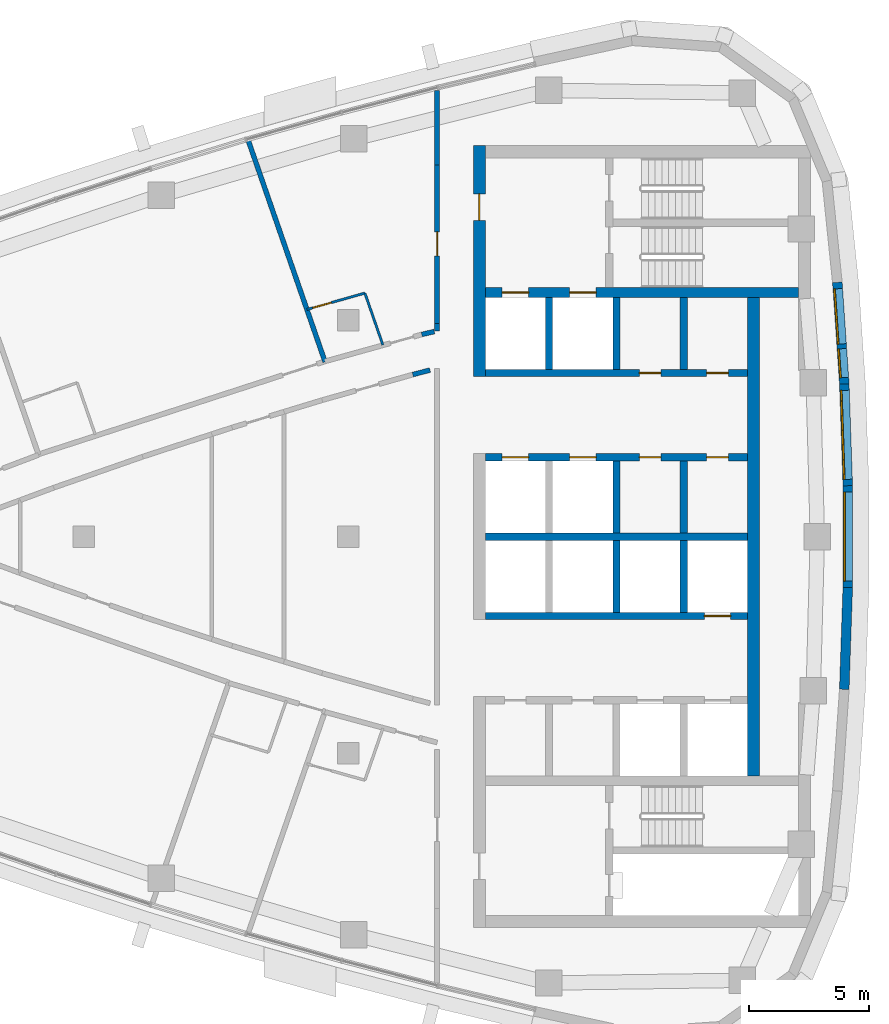
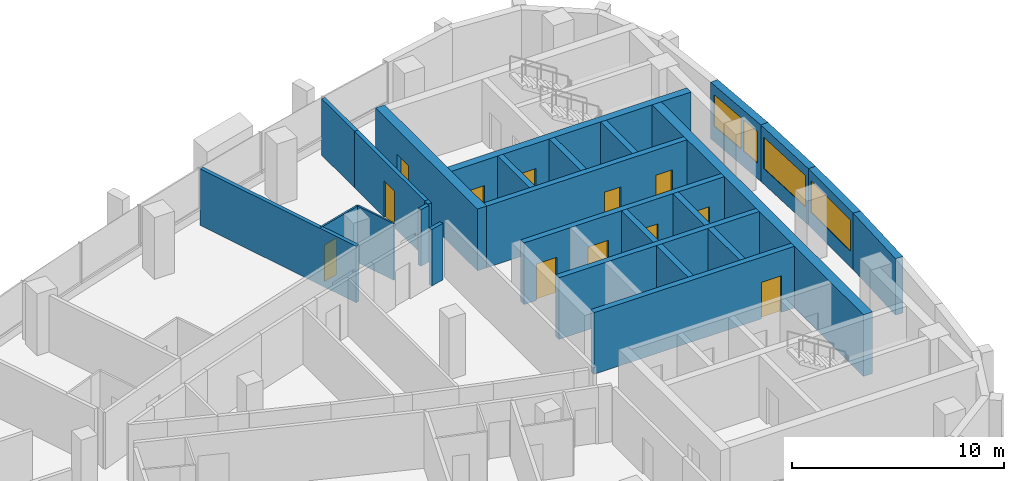
# One storey, part 9 of 14: 26 walls, 12 doors, 4 windows, 16 openings.
"""IFC4 building model written with IfcOpenShell, lengths in metres."""

from ifc_helpers import new_model, si_unit, direction, frame, frame_2d, origin, place, context, subcontext, project, spatial, polyline, rectangle, outline, extrude, material, layer, layer_set, type_object, element, fill, save


model = new_model("IFC4")

# Units and contexts
model_context = context("Model", 3, precision=1e-05, world=origin(), true_north=direction((0.0, 1.0)))
body_context = subcontext(model_context, "Body", "Model", "MODEL_VIEW")
ifc_project = project(units=[si_unit("LENGTHUNIT", "METRE"), si_unit("AREAUNIT", "SQUARE_METRE"), si_unit("VOLUMEUNIT", "CUBIC_METRE"), si_unit("PLANEANGLEUNIT", "RADIAN"), si_unit("MASSUNIT", "GRAM", prefix="KILO")], contexts=[model_context])

# Site, building, storey
site_placement = place(None, origin())
site = spatial("IfcSite", under=ifc_project, at=site_placement, CompositionType="ELEMENT")
building_placement = place(site_placement, origin())
building = spatial("IfcBuilding", under=site, at=building_placement, Name="Ostrand Prow Hotel Tower", CompositionType="ELEMENT")
storey_placement = place(building_placement, frame((0.0, 0.0, 267.89990234375)))
storey = spatial("IfcBuildingStorey", under=building, at=storey_placement, Name="L67", CompositionType="ELEMENT", Elevation=267.89990234375)

# Wall
ifc_material_1 = material(Name="Concrete C50/60", Category="concrete")
ifc_layer_1 = layer(ifc_material_1, 0.300048828125)
ifc_layer_set_1 = layer_set([ifc_layer_1], Name="Concrete C50/60")
wall_type_1 = type_object("IfcWallType", Name="Core wall 300 C50/60", PredefinedType="SHEAR", material=ifc_layer_set_1)
wall_1_placement = place(storey_placement, frame((50.699951171875, 0.0, 0.0), z_axis=(0.0, 0.0, 1.0), x_axis=(1.0, 0.0, 0.0)))
element("IfcWall", 1, at=wall_1_placement, inside=storey, type_object=wall_type_1, Name="Core wall PW-C", PredefinedType="SHEAR", context=body_context, shape_type="SweptSolid", body=[
    extrude(rectangle(XDim=10.900146484375, YDim=0.300048828125, at=frame_2d((5.4501953125, 0.0))), origin(), (0.0, 0.0, 1.0), 3.550048828125),
])

# Wall, openings, doors
wall_2_placement = place(storey_placement, frame((50.699951171875, 3.300048828125, 0.0), z_axis=(0.0, 0.0, 1.0), x_axis=(1.0, 0.0, 0.0)))
wall_2 = element("IfcWall", 2, at=wall_2_placement, inside=storey, type_object=wall_type_1, Name="Core wall PW-L1-N", PredefinedType="SHEAR", context=body_context, shape_type="SweptSolid", body=[
    extrude(rectangle(XDim=10.900146484375, YDim=0.300048828125, at=frame_2d((5.4501953125, 0.0))), origin(), (0.0, 0.0, 1.0), 3.550048828125),
])
opening_1_placement = place(wall_2_placement, frame((0.699951171875, 0.0, 0.0)))
opening_1 = element("IfcOpeningElement", 3, at=opening_1_placement, cuts=wall_2, Name="Opening LD", PredefinedType="OPENING", context=body_context, shape_type="SweptSolid", body=[
    extrude(rectangle(XDim=1.10009765625, YDim=2.10009765625, at=frame_2d((0.550048828125, 1.050048828125))), frame((0.0, 0.159912109375, 0.0), z_axis=(0.0, -1.0, 0.0), x_axis=(1.0, 0.0, 0.0)), (0.0, 0.0, 1.0), 0.320068359375),
])
opening_2_placement = place(wall_2_placement, frame((3.5, 0.0, 0.0)))
opening_2 = element("IfcOpeningElement", 4, at=opening_2_placement, cuts=wall_2, Name="Opening LD", PredefinedType="OPENING", context=body_context, shape_type="SweptSolid", body=[
    extrude(rectangle(XDim=1.10009765625, YDim=2.10009765625, at=frame_2d((0.550048828125, 1.050048828125))), frame((0.0, 0.159912109375, 0.0), z_axis=(0.0, -1.0, 0.0), x_axis=(1.0, 0.0, 0.0)), (0.0, 0.0, 1.0), 0.320068359375),
])
opening_3_placement = place(wall_2_placement, frame((6.39990234375, 0.0, 0.0)))
opening_3 = element("IfcOpeningElement", 5, at=opening_3_placement, cuts=wall_2, Name="Opening FD2", PredefinedType="OPENING", context=body_context, shape_type="SweptSolid", body=[
    extrude(rectangle(XDim=0.89990234375, YDim=2.10009765625, at=frame_2d((0.449951171875, 1.050048828125))), frame((0.0, 0.159912109375, 0.0), z_axis=(0.0, -1.0, 0.0), x_axis=(1.0, 0.0, 0.0)), (0.0, 0.0, 1.0), 0.320068359375),
])
opening_4_placement = place(wall_2_placement, frame((9.199951171875, 0.0, 0.0)))
opening_4 = element("IfcOpeningElement", 6, at=opening_4_placement, cuts=wall_2, Name="Opening FD2", PredefinedType="OPENING", context=body_context, shape_type="SweptSolid", body=[
    extrude(rectangle(XDim=0.89990234375, YDim=2.10009765625, at=frame_2d((0.449951171875, 1.050048828125))), frame((0.0, 0.159912109375, 0.0), z_axis=(0.0, -1.0, 0.0), x_axis=(1.0, 0.0, 0.0)), (0.0, 0.0, 1.0), 0.320068359375),
])
ifc_material_2 = material(Name="Steel fire door", Category="steel")
door_type_1 = type_object("IfcDoorType", Name="Fire door 900 EI120", OperationType="SINGLE_SWING_LEFT", PredefinedType="DOOR", material=ifc_material_2)
door_1_placement = place(opening_3_placement, origin())
door_1 = element("IfcDoor", 7, at=door_1_placement, inside=storey, type_object=door_type_1, Name="DOOR", OperationType="SINGLE_SWING_LEFT", OverallHeight=2.10009765625, OverallWidth=0.89990234375, PredefinedType="DOOR", context=body_context, shape_type="SweptSolid", body=[
    extrude(rectangle(XDim=0.89990234375, YDim=2.10009765625, at=frame_2d((0.449951171875, 1.050048828125))), frame((0.0, 0.02490234375, 0.0), z_axis=(0.0, -1.0, 0.0), x_axis=(1.0, 0.0, 0.0)), (0.0, 0.0, 1.0), 0.050048828125),
])
fill(opening_3, door_1)
door_2_placement = place(opening_4_placement, origin())
door_2 = element("IfcDoor", 8, at=door_2_placement, inside=storey, type_object=door_type_1, Name="DOOR", OperationType="SINGLE_SWING_LEFT", OverallHeight=2.10009765625, OverallWidth=0.89990234375, PredefinedType="DOOR", context=body_context, shape_type="SweptSolid", body=[
    extrude(rectangle(XDim=0.89990234375, YDim=2.10009765625, at=frame_2d((0.449951171875, 1.050048828125))), frame((0.0, 0.02490234375, 0.0), z_axis=(0.0, -1.0, 0.0), x_axis=(1.0, 0.0, 0.0)), (0.0, 0.0, 1.0), 0.050048828125),
])
fill(opening_4, door_2)
ifc_material_3 = material(Name="Stainless steel door", Category="steel")
door_type_2 = type_object("IfcDoorType", Name="Lift landing door 1100", OperationType="DOUBLE_DOOR_SLIDING", PredefinedType="DOOR", material=ifc_material_3)
door_3_placement = place(opening_1_placement, origin())
door_3 = element("IfcDoor", 9, at=door_3_placement, inside=storey, type_object=door_type_2, Name="LIFT LANDING DOOR", OperationType="DOUBLE_DOOR_SLIDING", OverallHeight=2.10009765625, OverallWidth=1.10009765625, PredefinedType="DOOR", context=body_context, shape_type="SweptSolid", body=[
    extrude(rectangle(XDim=1.10009765625, YDim=2.10009765625, at=frame_2d((0.550048828125, 1.050048828125))), frame((0.0, 0.02490234375, 0.0), z_axis=(0.0, -1.0, 0.0), x_axis=(1.0, 0.0, 0.0)), (0.0, 0.0, 1.0), 0.050048828125),
])
fill(opening_1, door_3)
door_4_placement = place(opening_2_placement, origin())
door_4 = element("IfcDoor", 10, at=door_4_placement, inside=storey, type_object=door_type_2, Name="LIFT LANDING DOOR", OperationType="DOUBLE_DOOR_SLIDING", OverallHeight=2.10009765625, OverallWidth=1.10009765625, PredefinedType="DOOR", context=body_context, shape_type="SweptSolid", body=[
    extrude(rectangle(XDim=1.10009765625, YDim=2.10009765625, at=frame_2d((0.550048828125, 1.050048828125))), frame((0.0, 0.02490234375, 0.0), z_axis=(0.0, -1.0, 0.0), x_axis=(1.0, 0.0, 0.0)), (0.0, 0.0, 1.0), 0.050048828125),
])
fill(opening_2, door_4)

wall_3_placement = place(storey_placement, frame((50.699951171875, 6.800048828125, 0.0), z_axis=(0.0, 0.0, 1.0), x_axis=(1.0, 0.0, 0.0)))
wall_3 = element("IfcWall", 11, at=wall_3_placement, inside=storey, type_object=wall_type_1, Name="Core wall PW-L2-N", PredefinedType="SHEAR", context=body_context, shape_type="SweptSolid", body=[
    extrude(rectangle(XDim=10.900146484375, YDim=0.300048828125, at=frame_2d((5.4501953125, 0.0))), origin(), (0.0, 0.0, 1.0), 3.550048828125),
])
opening_5_placement = place(wall_3_placement, frame((6.39990234375, 0.0, 0.0)))
opening_5 = element("IfcOpeningElement", 12, at=opening_5_placement, cuts=wall_3, Name="Opening FD2", PredefinedType="OPENING", context=body_context, shape_type="SweptSolid", body=[
    extrude(rectangle(XDim=0.89990234375, YDim=2.10009765625, at=frame_2d((0.449951171875, 1.050048828125))), frame((0.0, 0.159912109375, 0.0), z_axis=(0.0, -1.0, 0.0), x_axis=(1.0, 0.0, 0.0)), (0.0, 0.0, 1.0), 0.320068359375),
])
opening_6_placement = place(wall_3_placement, frame((9.199951171875, 0.0, 0.0)))
opening_6 = element("IfcOpeningElement", 13, at=opening_6_placement, cuts=wall_3, Name="Opening FD2", PredefinedType="OPENING", context=body_context, shape_type="SweptSolid", body=[
    extrude(rectangle(XDim=0.89990234375, YDim=2.10009765625, at=frame_2d((0.449951171875, 1.050048828125))), frame((0.0, 0.159912109375, 0.0), z_axis=(0.0, -1.0, 0.0), x_axis=(1.0, 0.0, 0.0)), (0.0, 0.0, 1.0), 0.320068359375),
])
door_5_placement = place(opening_5_placement, origin())
door_5 = element("IfcDoor", 14, at=door_5_placement, inside=storey, type_object=door_type_1, Name="DOOR", OperationType="SINGLE_SWING_LEFT", OverallHeight=2.10009765625, OverallWidth=0.89990234375, PredefinedType="DOOR", context=body_context, shape_type="SweptSolid", body=[
    extrude(rectangle(XDim=0.89990234375, YDim=2.10009765625, at=frame_2d((0.449951171875, 1.050048828125))), frame((0.0, 0.02490234375, 0.0), z_axis=(0.0, -1.0, 0.0), x_axis=(1.0, 0.0, 0.0)), (0.0, 0.0, 1.0), 0.050048828125),
])
fill(opening_5, door_5)
door_6_placement = place(opening_6_placement, origin())
door_6 = element("IfcDoor", 15, at=door_6_placement, inside=storey, type_object=door_type_1, Name="DOOR", OperationType="SINGLE_SWING_LEFT", OverallHeight=2.10009765625, OverallWidth=0.89990234375, PredefinedType="DOOR", context=body_context, shape_type="SweptSolid", body=[
    extrude(rectangle(XDim=0.89990234375, YDim=2.10009765625, at=frame_2d((0.449951171875, 1.050048828125))), frame((0.0, 0.02490234375, 0.0), z_axis=(0.0, -1.0, 0.0), x_axis=(1.0, 0.0, 0.0)), (0.0, 0.0, 1.0), 0.050048828125),
])
fill(opening_6, door_6)

# Walls
for number, where, z_axis, x_axis, name in (
    (16, (53.35009765625, 6.949951171875, 0.0), (0.0, 0.0, 1.0), (0.0, 1.0, 0.0), "Core wall PW-R1-NA"),
    (17, (56.14990234375, 0.14990234375, 0.0), (0.0, 0.0, 1.0), (0.0, 1.0, 0.0), "Core wall PW-R2-NB"),
    (18, (56.14990234375, 6.949951171875, 0.0), (0.0, 0.0, 1.0), (0.0, 1.0, 0.0), "Core wall PW-R2-NA"),
    (19, (58.949951171875, 0.14990234375, 0.0), (0.0, 0.0, 1.0), (0.0, 1.0, 0.0), "Core wall PW-R3-NB"),
    (20, (58.949951171875, 6.949951171875, 0.0), (0.0, 0.0, 1.0), (0.0, 1.0, 0.0), "Core wall PW-R3-NA"),
):
    element("IfcWall", number, at=place(storey_placement, frame(where, z_axis=z_axis, x_axis=x_axis)), inside=storey, type_object=wall_type_1, Name=name, PredefinedType="SHEAR", context=body_context, shape_type="SweptSolid", body=[
        extrude(rectangle(XDim=3.0, YDim=0.300048828125, at=frame_2d((1.5, 0.0))), origin(), (0.0, 0.0, 1.0), 3.550048828125),
    ])

# Wall, opening, door
wall_4_placement = place(storey_placement, frame((50.699951171875, -3.300048828125, 0.0), z_axis=(0.0, 0.0, 1.0), x_axis=(1.0, 0.0, 0.0)))
wall_4 = element("IfcWall", 21, at=wall_4_placement, inside=storey, type_object=wall_type_1, Name="Core wall PW-L1-S", PredefinedType="SHEAR", context=body_context, shape_type="SweptSolid", body=[
    extrude(rectangle(XDim=10.900146484375, YDim=0.300048828125, at=frame_2d((5.4501953125, 0.0))), origin(), (0.0, 0.0, 1.0), 3.550048828125),
])
opening_7_placement = place(wall_4_placement, frame((9.10009765625, 0.0, 0.0)))
opening_7 = element("IfcOpeningElement", 22, at=opening_7_placement, cuts=wall_4, Name="Opening LD", PredefinedType="OPENING", context=body_context, shape_type="SweptSolid", body=[
    extrude(rectangle(XDim=1.10009765625, YDim=2.10009765625, at=frame_2d((0.550048828125, 1.050048828125))), frame((0.0, 0.159912109375, 0.0), z_axis=(0.0, -1.0, 0.0), x_axis=(1.0, 0.0, 0.0)), (0.0, 0.0, 1.0), 0.320068359375),
])
door_7_placement = place(opening_7_placement, origin())
door_7 = element("IfcDoor", 23, at=door_7_placement, inside=storey, type_object=door_type_2, Name="LIFT LANDING DOOR", OperationType="DOUBLE_DOOR_SLIDING", OverallHeight=2.10009765625, OverallWidth=1.10009765625, PredefinedType="DOOR", context=body_context, shape_type="SweptSolid", body=[
    extrude(rectangle(XDim=1.10009765625, YDim=2.10009765625, at=frame_2d((0.550048828125, 1.050048828125))), frame((0.0, 0.02490234375, 0.0), z_axis=(0.0, -1.0, 0.0), x_axis=(1.0, 0.0, 0.0)), (0.0, 0.0, 1.0), 0.050048828125),
])
fill(opening_7, door_7)

# Walls
for number, where, z_axis, x_axis, name in (
    (24, (56.14990234375, -3.14990234375, 0.0), (0.0, 0.0, 1.0), (0.0, 1.0, 0.0), "Core wall PW-R2-SB"),
    (25, (58.949951171875, -3.14990234375, 0.0), (0.0, 0.0, 1.0), (0.0, 1.0, 0.0), "Core wall PW-R3-SB"),
):
    element("IfcWall", number, at=place(storey_placement, frame(where, z_axis=z_axis, x_axis=x_axis)), inside=storey, type_object=wall_type_1, Name=name, PredefinedType="SHEAR", context=body_context, shape_type="SweptSolid", body=[
        extrude(rectangle(XDim=3.0, YDim=0.300048828125, at=frame_2d((1.5, 0.0))), origin(), (0.0, 0.0, 1.0), 3.550048828125),
    ])

# Wall, openings, doors
ifc_material_4 = material(Name="Concrete C50/60", Category="concrete")
ifc_layer_2 = layer(ifc_material_4, 0.39990234375)
ifc_layer_set_2 = layer_set([ifc_layer_2], Name="Concrete C50/60")
wall_type_2 = type_object("IfcWallType", Name="Core wall 400 C50/60", PredefinedType="SHEAR", material=ifc_layer_set_2)
wall_5_placement = place(storey_placement, frame((50.699951171875, 10.14990234375, 0.0), z_axis=(0.0, 0.0, 1.0), x_axis=(1.0, 0.0, 0.0)))
wall_5 = element("IfcWall", 26, at=wall_5_placement, inside=storey, type_object=wall_type_2, Name="Core wall PW-BN", PredefinedType="SHEAR", context=body_context, shape_type="SweptSolid", body=[
    extrude(rectangle(XDim=13.02001953125, YDim=0.39990234375, at=frame_2d((6.510009765625, 0.0))), origin(), (0.0, 0.0, 1.0), 3.550048828125),
])
opening_8_placement = place(wall_5_placement, frame((0.699951171875, 0.0, 0.0)))
opening_8 = element("IfcOpeningElement", 27, at=opening_8_placement, cuts=wall_5, Name="Opening LD", PredefinedType="OPENING", context=body_context, shape_type="SweptSolid", body=[
    extrude(rectangle(XDim=1.10009765625, YDim=2.10009765625, at=frame_2d((0.550048828125, 1.050048828125))), frame((0.0, 0.2099609375, 0.0), z_axis=(0.0, -1.0, 0.0), x_axis=(1.0, 0.0, 0.0)), (0.0, 0.0, 1.0), 0.419921875),
])
opening_9_placement = place(wall_5_placement, frame((3.5, 0.0, 0.0)))
opening_9 = element("IfcOpeningElement", 28, at=opening_9_placement, cuts=wall_5, Name="Opening LD", PredefinedType="OPENING", context=body_context, shape_type="SweptSolid", body=[
    extrude(rectangle(XDim=1.10009765625, YDim=2.10009765625, at=frame_2d((0.550048828125, 1.050048828125))), frame((0.0, 0.2099609375, 0.0), z_axis=(0.0, -1.0, 0.0), x_axis=(1.0, 0.0, 0.0)), (0.0, 0.0, 1.0), 0.419921875),
])
door_8_placement = place(opening_8_placement, origin())
door_8 = element("IfcDoor", 29, at=door_8_placement, inside=storey, type_object=door_type_2, Name="LIFT LANDING DOOR", OperationType="DOUBLE_DOOR_SLIDING", OverallHeight=2.10009765625, OverallWidth=1.10009765625, PredefinedType="DOOR", context=body_context, shape_type="SweptSolid", body=[
    extrude(rectangle(XDim=1.10009765625, YDim=2.10009765625, at=frame_2d((0.550048828125, 1.050048828125))), frame((0.0, 0.02490234375, 0.0), z_axis=(0.0, -1.0, 0.0), x_axis=(1.0, 0.0, 0.0)), (0.0, 0.0, 1.0), 0.050048828125),
])
fill(opening_8, door_8)
door_9_placement = place(opening_9_placement, origin())
door_9 = element("IfcDoor", 30, at=door_9_placement, inside=storey, type_object=door_type_2, Name="LIFT LANDING DOOR", OperationType="DOUBLE_DOOR_SLIDING", OverallHeight=2.10009765625, OverallWidth=1.10009765625, PredefinedType="DOOR", context=body_context, shape_type="SweptSolid", body=[
    extrude(rectangle(XDim=1.10009765625, YDim=2.10009765625, at=frame_2d((0.550048828125, 1.050048828125))), frame((0.0, 0.02490234375, 0.0), z_axis=(0.0, -1.0, 0.0), x_axis=(1.0, 0.0, 0.0)), (0.0, 0.0, 1.0), 0.050048828125),
])
fill(opening_9, door_9)

# Wall, opening, door
ifc_material_5 = material(Name="Concrete C50/60", Category="concrete")
ifc_layer_3 = layer(ifc_material_5, 0.5)
ifc_layer_set_3 = layer_set([ifc_layer_3], Name="Concrete C50/60")
wall_type_3 = type_object("IfcWallType", Name="Core wall 500 C50/60", PredefinedType="SHEAR", material=ifc_layer_set_3)
wall_6_placement = place(storey_placement, frame((50.449951171875, 6.64990234375, 0.0), z_axis=(0.0, 0.0, 1.0), x_axis=(0.0, 1.0, 0.0)))
wall_6 = element("IfcWall", 31, at=wall_6_placement, inside=storey, type_object=wall_type_3, Name="Core wall CW-W-N", PredefinedType="SHEAR", context=body_context, shape_type="SweptSolid", body=[
    extrude(rectangle(XDim=9.60009765625, YDim=0.5, at=frame_2d((4.800048828125, 0.0))), origin(), (0.0, 0.0, 1.0), 3.550048828125),
])
opening_10_placement = place(wall_6_placement, frame((6.5, 0.0, 0.0)))
opening_10 = element("IfcOpeningElement", 32, at=opening_10_placement, cuts=wall_6, Name="Opening FD1", PredefinedType="OPENING", context=body_context, shape_type="SweptSolid", body=[
    extrude(rectangle(XDim=1.10009765625, YDim=2.10009765625, at=frame_2d((0.550048828125, 1.050048828125))), frame((0.0, 0.260009765625, 0.0), z_axis=(0.0, -1.0, 0.0), x_axis=(1.0, 0.0, 0.0)), (0.0, 0.0, 1.0), 0.52001953125),
])
ifc_material_6 = material(Name="Steel fire door", Category="steel")
door_type_3 = type_object("IfcDoorType", Name="Fire door 1100 EI120", OperationType="SINGLE_SWING_RIGHT", PredefinedType="DOOR", material=ifc_material_6)
door_10_placement = place(opening_10_placement, origin())
door_10 = element("IfcDoor", 33, at=door_10_placement, inside=storey, type_object=door_type_3, Name="FIRE DOOR", OperationType="SINGLE_SWING_RIGHT", OverallHeight=2.10009765625, OverallWidth=1.10009765625, PredefinedType="DOOR", context=body_context, shape_type="SweptSolid", body=[
    extrude(rectangle(XDim=1.10009765625, YDim=2.10009765625, at=frame_2d((0.550048828125, 1.050048828125))), frame((0.0, 0.02490234375, 0.0), z_axis=(0.0, -1.0, 0.0), x_axis=(1.0, 0.0, 0.0)), (0.0, 0.0, 1.0), 0.050048828125),
])
fill(opening_10, door_10)

# Wall
wall_7_placement = place(storey_placement, frame((61.85009765625, -9.949951171875, 0.0), z_axis=(0.0, 0.0, 1.0), x_axis=(0.0, 1.0, 0.0)))
element("IfcWall", 34, at=wall_7_placement, inside=storey, type_object=wall_type_3, Name="Core wall CW-E-C", PredefinedType="SHEAR", context=body_context, shape_type="SweptSolid", body=[
    extrude(rectangle(XDim=19.89990234375, YDim=0.5, at=frame_2d((9.949951171875, 0.0))), origin(), (0.0, 0.0, 1.0), 3.550048828125),
])

# Wall, opening, door
ifc_material_7 = material(Name="Plasterboard partition")
ifc_layer_4 = layer(ifc_material_7, 0.10009765625)
ifc_layer_set_4 = layer_set([ifc_layer_4], Name="Plasterboard partition")
wall_type_4 = type_object("IfcWallType", Name="Partition 100 bathroom wall", PredefinedType="PARTITIONING", material=ifc_layer_set_4)
wall_8_placement = place(storey_placement, frame((43.28271484375, 9.443603515625, 0.0), z_axis=(0.0, 0.0, 1.0), x_axis=(0.962409173596, 0.271603723424, 0.0)))
wall_8 = element("IfcWall", 35, at=wall_8_placement, inside=storey, type_object=wall_type_4, Name="BATHROOM WALL", PredefinedType="PARTITIONING", context=body_context, shape_type="SweptSolid", body=[
    extrude(rectangle(XDim=2.50439453125, YDim=0.10009765625, at=frame_2d((1.252197265625, 0.0))), origin(), (0.0, 0.0, 1.0), 3.25),
])
opening_11_placement = place(wall_8_placement, frame((0.25, 0.0, 0.0)))
opening_11 = element("IfcOpeningElement", 36, at=opening_11_placement, cuts=wall_8, Name="Opening D2", PredefinedType="OPENING", context=body_context, shape_type="SweptSolid", body=[
    extrude(rectangle(XDim=0.800048828125, YDim=2.10009765625, at=frame_2d((0.39990234375, 1.050048828125))), frame((0.0, 0.06005859375, 0.0), z_axis=(0.0, -1.0, 0.0), x_axis=(1.0, 0.0, 0.0)), (0.0, 0.0, 1.0), 0.1201171875),
])
ifc_material_8 = material(Name="Timber door leaf", Category="wood")
door_type_4 = type_object("IfcDoorType", Name="Bathroom door 800", OperationType="SINGLE_SWING_LEFT", PredefinedType="DOOR", material=ifc_material_8)
door_11_placement = place(opening_11_placement, origin())
door_11 = element("IfcDoor", 37, at=door_11_placement, inside=storey, type_object=door_type_4, Name="DOOR", OperationType="SINGLE_SWING_LEFT", OverallHeight=2.10009765625, OverallWidth=0.800048828125, PredefinedType="DOOR", context=body_context, shape_type="SweptSolid", body=[
    extrude(rectangle(XDim=0.800048828125, YDim=2.10009765625, at=frame_2d((0.39990234375, 1.050048828125))), frame((0.0, 0.02490234375, 0.0), z_axis=(0.0, -1.0, 0.0), x_axis=(1.0, 0.0, 0.0)), (0.0, 0.0, 1.0), 0.050048828125),
])
fill(opening_11, door_11)

# Walls
wall_9_placement = place(storey_placement, frame((45.69287109375, 10.123779296875, 0.0), z_axis=(0.0, 0.0, 1.0), x_axis=(0.327764902685, -0.944759317799, 0.0)))
element("IfcWall", 38, at=wall_9_placement, inside=storey, type_object=wall_type_4, Name="BATHROOM WALL", PredefinedType="PARTITIONING", context=body_context, shape_type="SweptSolid", body=[
    extrude(rectangle(XDim=2.28076171875, YDim=0.10009765625, at=frame_2d((1.140380859375, 0.0))), origin(), (0.0, 0.0, 1.0), 3.25),
])
ifc_material_9 = material(Name="Plasterboard partition")
ifc_layer_5 = layer(ifc_material_9, 0.199951171875)
ifc_layer_set_5 = layer_set([ifc_layer_5], Name="Plasterboard partition")
wall_type_5 = type_object("IfcWallType", Name="Partition 200 corridor wall", PredefinedType="PARTITIONING", material=ifc_layer_set_5)
wall_10_placement = place(storey_placement, frame((47.684326171875, 6.737548828125, 0.0), z_axis=(0.0, 0.0, 1.0), x_axis=(0.967585713416, 0.252542842294, 0.0)))
element("IfcWall", 39, at=wall_10_placement, inside=storey, type_object=wall_type_5, Name="CORRIDOR WALL", PredefinedType="PARTITIONING", context=body_context, shape_type="SweptSolid", body=[
    extrude(rectangle(XDim=0.739501953125, YDim=0.199951171875, at=frame_2d((0.36962890625, 0.0))), origin(), (0.0, 0.0, 1.0), 3.25),
])

# Wall, opening, door
wall_11_placement = place(storey_placement, frame((48.695068359375, 15.455078125, 0.0), z_axis=(0.0, 0.0, 1.0), x_axis=(0.0, -1.0, 0.0)))
wall_11 = element("IfcWall", 40, at=wall_11_placement, inside=storey, type_object=wall_type_5, Name="CORRIDOR WALL", PredefinedType="PARTITIONING", context=body_context, shape_type="SweptSolid", body=[
    extrude(rectangle(XDim=6.60302734375, YDim=0.199951171875, at=frame_2d((3.301513671875, 0.0))), origin(), (0.0, 0.0, 1.0), 3.25),
])
opening_12_placement = place(wall_11_placement, frame((2.787109375, 0.0, 0.0)))
opening_12 = element("IfcOpeningElement", 41, at=opening_12_placement, cuts=wall_11, Name="Opening D1R", PredefinedType="OPENING", context=body_context, shape_type="SweptSolid", body=[
    extrude(rectangle(XDim=1.0, YDim=2.10009765625, at=frame_2d((0.5, 1.050048828125))), frame((0.0, 0.10986328125, 0.0), z_axis=(0.0, -1.0, 0.0), x_axis=(1.0, 0.0, 0.0)), (0.0, 0.0, 1.0), 0.219970703125),
])
ifc_material_10 = material(Name="Timber door leaf", Category="wood")
door_type_5 = type_object("IfcDoorType", Name="Guest room door 1000 right", OperationType="SINGLE_SWING_RIGHT", PredefinedType="DOOR", material=ifc_material_10)
door_12_placement = place(opening_12_placement, origin())
door_12 = element("IfcDoor", 42, at=door_12_placement, inside=storey, type_object=door_type_5, Name="DOOR", OperationType="SINGLE_SWING_RIGHT", OverallHeight=2.10009765625, OverallWidth=1.0, PredefinedType="DOOR", context=body_context, shape_type="SweptSolid", body=[
    extrude(rectangle(XDim=1.0, YDim=2.10009765625, at=frame_2d((0.5, 1.050048828125))), frame((0.0, 0.02490234375, 0.0), z_axis=(0.0, -1.0, 0.0), x_axis=(1.0, 0.0, 0.0)), (0.0, 0.0, 1.0), 0.050048828125),
])
fill(opening_12, door_12)

# Walls
wall_12_placement = place(storey_placement, frame((48.695068359375, 18.55322265625, 0.0), z_axis=(0.0, 0.0, 1.0), x_axis=(0.0, -1.0, 0.0)))
element("IfcWall", 43, at=wall_12_placement, inside=storey, type_object=wall_type_5, Name="CORRIDOR WALL", PredefinedType="PARTITIONING", context=body_context, shape_type="SweptSolid", body=[
    extrude(rectangle(XDim=3.09814453125, YDim=0.199951171875, at=frame_2d((1.549072265625, 0.0))), origin(), (0.0, 0.0, 1.0), 3.25),
])
wall_13_placement = place(storey_placement, frame((48.695068359375, 8.85205078125, 0.0), z_axis=(0.0, 0.0, 1.0), x_axis=(0.0, -1.0, 0.0)))
element("IfcWall", 44, at=wall_13_placement, inside=storey, type_object=wall_type_5, Name="CORRIDOR WALL", PredefinedType="PARTITIONING", context=body_context, shape_type="SweptSolid", body=[
    extrude(rectangle(XDim=0.31005859375, YDim=0.199951171875, at=frame_2d((0.155029296875, 0.0))), origin(), (0.0, 0.0, 1.0), 3.25),
])
wall_14_placement = place(storey_placement, frame((48.5791015625, 8.525146484375, 0.0), z_axis=(0.0, 0.0, 1.0), x_axis=(-0.974742633665, -0.223331140051, 0.0)))
element("IfcWall", 45, at=wall_14_placement, inside=storey, type_object=wall_type_5, Name="CORRIDOR WALL", PredefinedType="PARTITIONING", context=body_context, shape_type="SweptSolid", body=[
    extrude(rectangle(XDim=0.536865234375, YDim=0.199951171875, at=frame_2d((0.2685546875, 0.0))), origin(), (0.0, 0.0, 1.0), 3.25),
])
ifc_material_11 = material(Name="Plasterboard partition")
ifc_layer_6 = layer(ifc_material_11, 0.199951171875)
ifc_layer_set_6 = layer_set([ifc_layer_6], Name="Plasterboard partition")
wall_type_6 = type_object("IfcWallType", Name="Partition 200 key partition", PredefinedType="PARTITIONING", material=ifc_layer_set_6)
wall_15_placement = place(storey_placement, frame((44.037841796875, 7.266845703125, 0.0), z_axis=(0.0, 0.0, 1.0), x_axis=(-0.327714576096, 0.944776776077, 0.0)))
element("IfcWall", 46, at=wall_15_placement, inside=storey, type_object=wall_type_6, Name="KEY PARTITION", PredefinedType="PARTITIONING", context=body_context, shape_type="SweptSolid", body=[
    extrude(rectangle(XDim=9.716796875, YDim=0.199951171875, at=frame_2d((4.8583984375, 0.0))), origin(), (0.0, 0.0, 1.0), 3.25),
])
ifc_material_12 = material(Name="Precast concrete C40/50", Category="concrete")
ifc_layer_7 = layer(ifc_material_12, 0.39990234375)
ifc_layer_set_7 = layer_set([ifc_layer_7], Name="Precast concrete C40/50")
wall_type_7 = type_object("IfcWallType", Name="Stone-faced precast wall 400 mm", PredefinedType="NOTDEFINED", material=ifc_layer_set_7)
wall_16_placement = place(storey_placement, frame((65.6201171875, -6.34765625, 0.0), z_axis=(0.0, 0.0, 1.0), x_axis=(0.034082898699, 0.999419009233, 0.0)))
element("IfcWall", 47, at=wall_16_placement, inside=storey, type_object=wall_type_7, Name="Stone-faced wall back 7", PredefinedType="NOTDEFINED", context=body_context, shape_type="SweptSolid", body=[
    extrude(outline(polyline([(-0.00341796875, -0.199951171875), (4.23681640625, -0.199951171875), (4.22998046875, 0.199951171875), (0.00341796875, 0.199951171875), (-0.00341796875, -0.199951171875)])), origin(), (0.0, 0.0, 1.0), 3.25),
])

# Wall, opening, window
wall_17_placement = place(storey_placement, frame((65.764404296875, -2.11669921875, 0.0), z_axis=(0.0, 0.0, 1.0), x_axis=(0.0, 1.0, 0.0)))
wall_17 = element("IfcWall", 48, at=wall_17_placement, inside=storey, type_object=wall_type_7, Name="Stone-faced wall back 8", PredefinedType="NOTDEFINED", context=body_context, shape_type="SweptSolid", body=[
    extrude(outline(polyline([(-0.00341796875, -0.199951171875), (4.23681640625, -0.199951171875), (4.22998046875, 0.199951171875), (0.00341796875, 0.199951171875), (-0.00341796875, -0.199951171875)])), origin(), (0.0, 0.0, 1.0), 3.25),
])
opening_13_placement = place(wall_17_placement, frame((0.2666015625, 0.0, 0.89990234375)))
opening_13 = element("IfcOpeningElement", 49, at=opening_13_placement, cuts=wall_17, Name="Opening WS3-37", PredefinedType="OPENING", context=body_context, shape_type="SweptSolid", body=[
    extrude(rectangle(XDim=3.699951171875, YDim=1.800048828125, at=frame_2d((1.85009765625, 0.89990234375))), frame((0.0, 0.2099609375, 0.0), z_axis=(0.0, -1.0, 0.0), x_axis=(1.0, 0.0, 0.0)), (0.0, 0.0, 1.0), 0.419921875),
])
ifc_material_13 = material(Name="Insulated glass in bronze frame", Category="glass")
window_type_1 = type_object("IfcWindowType", Name="Strip window 3700x1800", PartitioningType="SINGLE_PANEL", PredefinedType="WINDOW", material=ifc_material_13)
window_1_placement = place(opening_13_placement, origin())
window_1 = element("IfcWindow", 50, at=window_1_placement, inside=storey, type_object=window_type_1, Name="Window back 8.1", OverallHeight=1.800048828125, OverallWidth=3.699951171875, PartitioningType="SINGLE_PANEL", PredefinedType="WINDOW", context=body_context, shape_type="SweptSolid", body=[
    extrude(rectangle(XDim=3.699951171875, YDim=1.800048828125, at=frame_2d((1.85009765625, 0.89990234375))), frame((0.0, 0.169921875, 0.0), z_axis=(0.0, -1.0, 0.0), x_axis=(1.0, 0.0, 0.0)), (0.0, 0.0, 1.0), 0.06005859375),
])
fill(opening_13, window_1)

wall_18_placement = place(storey_placement, frame((65.764404296875, 2.11669921875, 0.0), z_axis=(0.0, 0.0, 1.0), x_axis=(-0.034082898699, 0.999419009233, 0.0)))
wall_18 = element("IfcWall", 51, at=wall_18_placement, inside=storey, type_object=wall_type_7, Name="Stone-faced wall back 9", PredefinedType="NOTDEFINED", context=body_context, shape_type="SweptSolid", body=[
    extrude(outline(polyline([(-0.00341796875, -0.199951171875), (4.23681640625, -0.199951171875), (4.22998046875, 0.199951171875), (0.00341796875, 0.199951171875), (-0.00341796875, -0.199951171875)])), origin(), (0.0, 0.0, 1.0), 3.25),
])
opening_14_placement = place(wall_18_placement, frame((0.2666015625, 0.0, 0.89990234375)))
opening_14 = element("IfcOpeningElement", 52, at=opening_14_placement, cuts=wall_18, Name="Opening WS3-37", PredefinedType="OPENING", context=body_context, shape_type="SweptSolid", body=[
    extrude(rectangle(XDim=3.699951171875, YDim=1.800048828125, at=frame_2d((1.85009765625, 0.89990234375))), frame((0.0, 0.2099609375, 0.0), z_axis=(0.0, -1.0, 0.0), x_axis=(1.0, 0.0, 0.0)), (0.0, 0.0, 1.0), 0.419921875),
])
window_2_placement = place(opening_14_placement, origin())
window_2 = element("IfcWindow", 53, at=window_2_placement, inside=storey, type_object=window_type_1, Name="Window back 9.1", OverallHeight=1.800048828125, OverallWidth=3.699951171875, PartitioningType="SINGLE_PANEL", PredefinedType="WINDOW", context=body_context, shape_type="SweptSolid", body=[
    extrude(rectangle(XDim=3.699951171875, YDim=1.800048828125, at=frame_2d((1.85009765625, 0.89990234375))), frame((0.0, 0.169921875, 0.0), z_axis=(0.0, -1.0, 0.0), x_axis=(1.0, 0.0, 0.0)), (0.0, 0.0, 1.0), 0.06005859375),
])
fill(opening_14, window_2)

# Wall, openings, windows
wall_19_placement = place(storey_placement, frame((65.6201171875, 6.34765625, 0.0), z_axis=(0.0, 0.0, 1.0), x_axis=(-0.068279584479, 0.997666225921, 0.0)))
wall_19 = element("IfcWall", 54, at=wall_19_placement, inside=storey, type_object=wall_type_7, Name="Stone-faced wall back 10", PredefinedType="NOTDEFINED", context=body_context, shape_type="SweptSolid", body=[
    extrude(outline(polyline([(-0.00341796875, -0.199951171875), (4.23681640625, -0.199951171875), (4.22998046875, 0.199951171875), (0.00341796875, 0.199951171875), (-0.00341796875, -0.199951171875)])), origin(), (0.0, 0.0, 1.0), 3.25),
])
opening_15_placement = place(wall_19_placement, frame((0.2666015625, 0.0, 0.89990234375)))
opening_15 = element("IfcOpeningElement", 55, at=opening_15_placement, cuts=wall_19, Name="Opening WS4", PredefinedType="OPENING", context=body_context, shape_type="SweptSolid", body=[
    extrude(rectangle(XDim=1.199951171875, YDim=1.800048828125, at=frame_2d((0.60009765625, 0.89990234375))), frame((0.0, 0.2099609375, 0.0), z_axis=(0.0, -1.0, 0.0), x_axis=(1.0, 0.0, 0.0)), (0.0, 0.0, 1.0), 0.419921875),
])
opening_16_placement = place(wall_19_placement, frame((1.666748046875, 0.0, 0.89990234375)))
opening_16 = element("IfcOpeningElement", 56, at=opening_16_placement, cuts=wall_19, Name="Opening WS5-23", PredefinedType="OPENING", context=body_context, shape_type="SweptSolid", body=[
    extrude(rectangle(XDim=2.300048828125, YDim=1.800048828125, at=frame_2d((1.14990234375, 0.89990234375))), frame((0.0, 0.2099609375, 0.0), z_axis=(0.0, -1.0, 0.0), x_axis=(1.0, 0.0, 0.0)), (0.0, 0.0, 1.0), 0.419921875),
])
ifc_material_14 = material(Name="Insulated glass in bronze frame", Category="glass")
window_type_2 = type_object("IfcWindowType", Name="Fixed strip window 2300x1800", PartitioningType="SINGLE_PANEL", PredefinedType="WINDOW", material=ifc_material_14)
window_3_placement = place(opening_16_placement, origin())
window_3 = element("IfcWindow", 57, at=window_3_placement, inside=storey, type_object=window_type_2, Name="Window back 10.2", OverallHeight=1.800048828125, OverallWidth=2.300048828125, PartitioningType="SINGLE_PANEL", PredefinedType="WINDOW", context=body_context, shape_type="SweptSolid", body=[
    extrude(rectangle(XDim=2.300048828125, YDim=1.800048828125, at=frame_2d((1.14990234375, 0.89990234375))), frame((0.0, 0.169921875, 0.0), z_axis=(0.0, -1.0, 0.0), x_axis=(1.0, 0.0, 0.0)), (0.0, 0.0, 1.0), 0.06005859375),
])
fill(opening_16, window_3)
ifc_material_15 = material(Name="Insulated glass in bronze frame", Category="glass")
window_type_3 = type_object("IfcWindowType", Name="Operable strip panel 1200x1800", PartitioningType="SINGLE_PANEL", PredefinedType="WINDOW", material=ifc_material_15)
window_4_placement = place(opening_15_placement, origin())
window_4 = element("IfcWindow", 58, at=window_4_placement, inside=storey, type_object=window_type_3, Name="Window back 10.1", OverallHeight=1.800048828125, OverallWidth=1.199951171875, PartitioningType="SINGLE_PANEL", PredefinedType="WINDOW", context=body_context, shape_type="SweptSolid", body=[
    extrude(rectangle(XDim=1.199951171875, YDim=1.800048828125, at=frame_2d((0.60009765625, 0.89990234375))), frame((0.0, 0.169921875, 0.0), z_axis=(0.0, -1.0, 0.0), x_axis=(1.0, 0.0, 0.0)), (0.0, 0.0, 1.0), 0.06005859375),
])
fill(opening_15, window_4)

save(model, "model.ifc")
